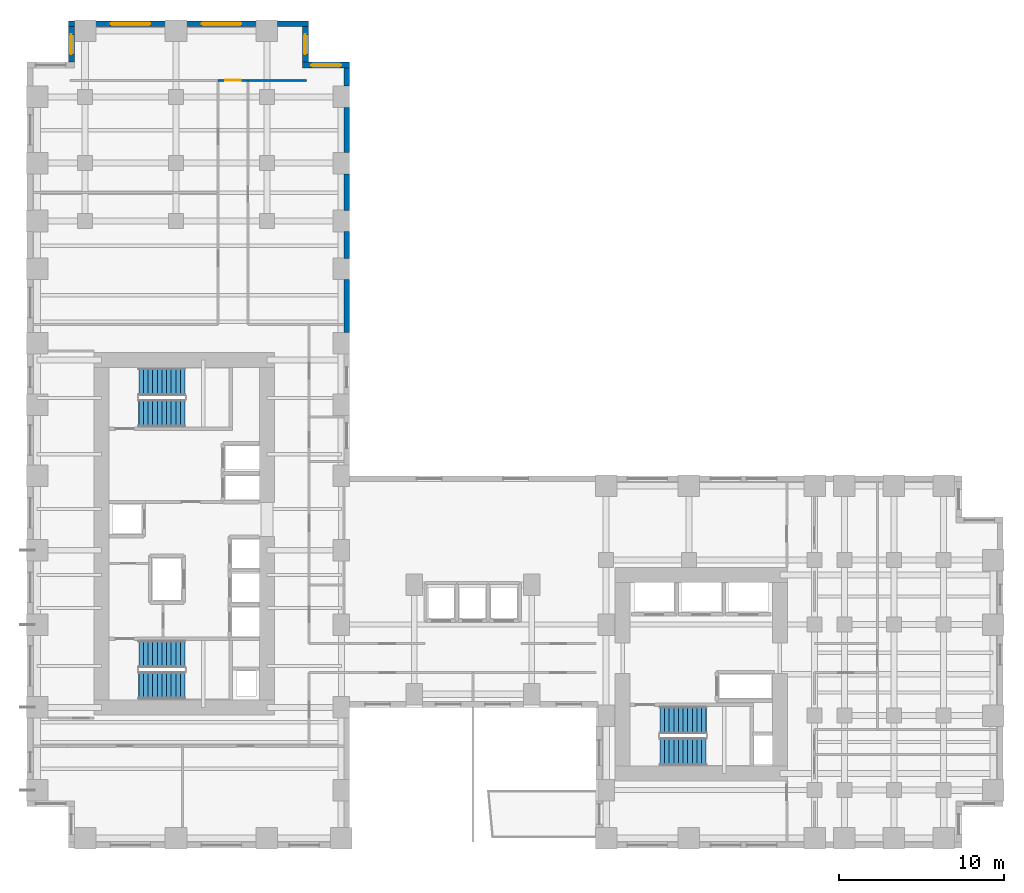
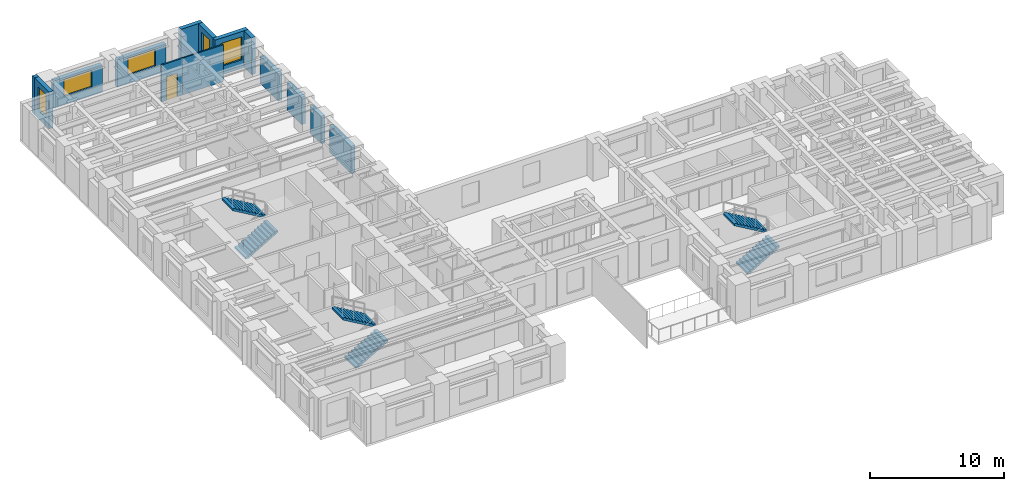
# One storey, part 9 of 12: 14 walls, 6 stair flights, 5 windows, 1 door, 6 openings, 3 elements without a shape of their own.
"""IFC4 building model written with IfcOpenShell, lengths in metres."""

from ifc_helpers import new_model, si_unit, direction, frame, frame_2d, origin, place, context, subcontext, project, spatial, polyline, rectangle, outline, extrude, source, transform, mapped, material, layer, layer_set, type_object, element, fill, aggregate, save


model = new_model("IFC4")

# Units and contexts
model_context = context("Model", 3, precision=1e-05, world=origin(), true_north=direction((0.0, 1.0)))
body_context = subcontext(model_context, "Body", "Model", "MODEL_VIEW")
ifc_project = project(units=[si_unit("LENGTHUNIT", "METRE"), si_unit("AREAUNIT", "SQUARE_METRE"), si_unit("VOLUMEUNIT", "CUBIC_METRE"), si_unit("PLANEANGLEUNIT", "RADIAN"), si_unit("MASSUNIT", "GRAM", prefix="KILO")], contexts=[model_context])

# Site, building, storey
site_placement = place(None, origin())
site = spatial("IfcSite", under=ifc_project, at=site_placement, CompositionType="ELEMENT")
building_placement = place(site_placement, origin())
building = spatial("IfcBuilding", under=site, at=building_placement, Name="Kharzan Plaza Tower", CompositionType="ELEMENT")
storey_placement = place(building_placement, frame((0.0, 0.0, 62.10009765625)))
storey = spatial("IfcBuildingStorey", under=building, at=storey_placement, Name="L16", CompositionType="ELEMENT", Elevation=62.10009765625)

# Wall, opening, window
ifc_material_1 = material(Name="Concrete C40/50", Category="concrete")
ifc_layer_1 = layer(ifc_material_1, 0.35009765625)
ifc_layer_set_1 = layer_set([ifc_layer_1], Name="Concrete C40/50")
wall_type_1 = type_object("IfcWallType", Name="WL-EXT-MAS-Z1", PredefinedType="SOLIDWALL", material=ifc_layer_set_1)
wall_1_placement = place(storey_placement, frame((19.5, 47.324951171875, 0.0), z_axis=(0.0, 0.0, 1.0), x_axis=(-1.0, 0.0, 0.0)))
wall_1 = element("IfcWall", 1, at=wall_1_placement, inside=storey, type_object=wall_type_1, Name="L16 Masonry-Frame Exterior Wall 01", PredefinedType="SOLIDWALL", context=body_context, shape_type="SweptSolid", body=[
    extrude(rectangle(XDim=2.85009765625, YDim=0.35009765625, at=frame_2d((1.425048828125, 0.0))), origin(), (0.0, 0.0, 1.0), 3.364990234375),
])
opening_1_placement = place(wall_1_placement, frame((0.52490234375, 0.0, 0.780029296875)))
opening_1 = element("IfcOpeningElement", 2, at=opening_1_placement, cuts=wall_1, Name="Opening W1", PredefinedType="OPENING", context=body_context, shape_type="SweptSolid", body=[
    extrude(rectangle(XDim=1.800048828125, YDim=2.10009765625, at=frame_2d((0.89990234375, 1.050048828125))), frame((0.0, 0.18505859375, 0.0), z_axis=(0.0, -1.0, 0.0), x_axis=(1.0, 0.0, 0.0)), (0.0, 0.0, 1.0), 0.3701171875),
])
ifc_material_2 = material(Name="Low-E Double Glazing", Category="glass")
window_type_1 = type_object("IfcWindowType", Name="WN-REC-1800x2100", PartitioningType="SINGLE_PANEL", PredefinedType="WINDOW", material=ifc_material_2)
shared_shape_1 = source(origin(), body_context, "Body", "SweptSolid", [
    extrude(rectangle(XDim=1.800048828125, YDim=2.10009765625, at=frame_2d((0.89990234375, 1.050048828125))), frame((0.0, 0.030029296875, 0.0), z_axis=(0.0, -1.0, 0.0), x_axis=(1.0, 0.0, 0.0)), (0.0, 0.0, 1.0), 0.06005859375),
])
window_1_placement = place(opening_1_placement, origin())
window_1 = element("IfcWindow", 3, at=window_1_placement, inside=storey, type_object=window_type_1, Name="L16 Recessed Solar-Control Window 01-1", OverallHeight=2.10009765625, OverallWidth=1.800048828125, PartitioningType="SINGLE_PANEL", PredefinedType="WINDOW", context=body_context, shape_type="MappedRepresentation", body=[
    mapped(shared_shape_1, transform((0.0, 0.0, 0.0), x_axis=(1.0, 0.0, 0.0), y_axis=(0.0, 1.0, 0.0), z_axis=(0.0, 0.0, 1.0))),
])
fill(opening_1, window_1)

wall_2_placement = place(storey_placement, frame((16.824951171875, 47.498046875, 0.0), z_axis=(0.0, 0.0, 1.0), x_axis=(0.0, 1.0, 0.0)))
wall_2 = element("IfcWall", 4, at=wall_2_placement, inside=storey, type_object=wall_type_1, Name="L16 Masonry-Frame Exterior Wall 02", PredefinedType="SOLIDWALL", context=body_context, shape_type="SweptSolid", body=[
    extrude(rectangle(XDim=2.154052734375, YDim=0.35009765625, at=frame_2d((1.0771484375, 0.0))), origin(), (0.0, 0.0, 1.0), 3.364990234375),
])
opening_2_placement = place(wall_2_placement, frame((0.47705078125, 0.0, 0.780029296875)))
opening_2 = element("IfcOpeningElement", 5, at=opening_2_placement, cuts=wall_2, Name="Opening W3", PredefinedType="OPENING", context=body_context, shape_type="SweptSolid", body=[
    extrude(rectangle(XDim=1.199951171875, YDim=2.10009765625, at=frame_2d((0.60009765625, 1.050048828125))), frame((0.0, 0.18505859375, 0.0), z_axis=(0.0, -1.0, 0.0), x_axis=(1.0, 0.0, 0.0)), (0.0, 0.0, 1.0), 0.3701171875),
])
window_type_2 = type_object("IfcWindowType", Name="WN-REC-1200x2100", PartitioningType="SINGLE_PANEL", PredefinedType="WINDOW", material=ifc_material_2)
shared_shape_2 = source(origin(), body_context, "Body", "SweptSolid", [
    extrude(rectangle(XDim=1.199951171875, YDim=2.10009765625, at=frame_2d((0.60009765625, 1.050048828125))), frame((0.0, 0.030029296875, 0.0), z_axis=(0.0, -1.0, 0.0), x_axis=(1.0, 0.0, 0.0)), (0.0, 0.0, 1.0), 0.06005859375),
])
window_2_placement = place(opening_2_placement, origin())
window_2 = element("IfcWindow", 6, at=window_2_placement, inside=storey, type_object=window_type_2, Name="L16 Recessed Solar-Control Window 02-1", OverallHeight=2.10009765625, OverallWidth=1.199951171875, PartitioningType="SINGLE_PANEL", PredefinedType="WINDOW", context=body_context, shape_type="MappedRepresentation", body=[
    mapped(shared_shape_2, transform((0.0, 0.0, 0.0), x_axis=(1.0, 0.0, 0.0), y_axis=(0.0, 1.0, 0.0), z_axis=(0.0, 0.0, 1.0))),
])
fill(opening_2, window_2)

wall_3_placement = place(storey_placement, frame((13.85205078125, 49.824951171875, 0.0), z_axis=(0.0, 0.0, 1.0), x_axis=(-1.0, 0.0, 0.0)))
wall_3 = element("IfcWall", 7, at=wall_3_placement, inside=storey, type_object=wall_type_1, Name="L16 Masonry-Frame Exterior Wall 04", PredefinedType="SOLIDWALL", context=body_context, shape_type="SweptSolid", body=[
    extrude(rectangle(XDim=4.2041015625, YDim=0.35009765625, at=frame_2d((2.10205078125, 0.0))), origin(), (0.0, 0.0, 1.0), 2.510009765625),
])
opening_3_placement = place(wall_3_placement, frame((0.902099609375, 0.0, 0.780029296875)))
opening_3 = element("IfcOpeningElement", 8, at=opening_3_placement, cuts=wall_3, Name="Opening W2", PredefinedType="OPENING", context=body_context, shape_type="SweptSolid", body=[
    extrude(rectangle(XDim=2.39990234375, YDim=1.550048828125, at=frame_2d((1.199951171875, 0.77490234375))), frame((0.0, 0.18505859375, 0.0), z_axis=(0.0, -1.0, 0.0), x_axis=(1.0, 0.0, 0.0)), (0.0, 0.0, 1.0), 0.3701171875),
])
window_type_3 = type_object("IfcWindowType", Name="WN-REC-2400x2100", PartitioningType="SINGLE_PANEL", PredefinedType="WINDOW", material=ifc_material_2)
shared_shape_3 = source(origin(), body_context, "Body", "SweptSolid", [
    extrude(rectangle(XDim=2.39990234375, YDim=1.550048828125, at=frame_2d((1.199951171875, 0.77490234375))), frame((0.0, 0.030029296875, 0.0), z_axis=(0.0, -1.0, 0.0), x_axis=(1.0, 0.0, 0.0)), (0.0, 0.0, 1.0), 0.06005859375),
])
window_3_placement = place(opening_3_placement, origin())
window_3 = element("IfcWindow", 9, at=window_3_placement, inside=storey, type_object=window_type_3, Name="L16 Wide Recessed Solar-Control Window 04-1", OverallHeight=1.550048828125, OverallWidth=2.39990234375, PartitioningType="SINGLE_PANEL", PredefinedType="WINDOW", context=body_context, shape_type="MappedRepresentation", body=[
    mapped(shared_shape_3, transform((0.0, 0.0, 0.0), x_axis=(1.0, 0.0, 0.0), y_axis=(0.0, 1.0, 0.0), z_axis=(0.0, 0.0, 1.0))),
])
fill(opening_3, window_3)

wall_4_placement = place(storey_placement, frame((8.35205078125, 49.824951171875, 0.0), z_axis=(0.0, 0.0, 1.0), x_axis=(-1.0, 0.0, 0.0)))
wall_4 = element("IfcWall", 10, at=wall_4_placement, inside=storey, type_object=wall_type_1, Name="L16 Masonry-Frame Exterior Wall 05", PredefinedType="SOLIDWALL", context=body_context, shape_type="SweptSolid", body=[
    extrude(rectangle(XDim=4.2041015625, YDim=0.35009765625, at=frame_2d((2.10205078125, 0.0))), origin(), (0.0, 0.0, 1.0), 2.510009765625),
])
opening_4_placement = place(wall_4_placement, frame((0.902099609375, 0.0, 0.780029296875)))
opening_4 = element("IfcOpeningElement", 11, at=opening_4_placement, cuts=wall_4, Name="Opening W2", PredefinedType="OPENING", context=body_context, shape_type="SweptSolid", body=[
    extrude(rectangle(XDim=2.39990234375, YDim=1.550048828125, at=frame_2d((1.199951171875, 0.77490234375))), frame((0.0, 0.18505859375, 0.0), z_axis=(0.0, -1.0, 0.0), x_axis=(1.0, 0.0, 0.0)), (0.0, 0.0, 1.0), 0.3701171875),
])
window_4_placement = place(opening_4_placement, origin())
window_4 = element("IfcWindow", 12, at=window_4_placement, inside=storey, type_object=window_type_3, Name="L16 Wide Recessed Solar-Control Window 05-1", OverallHeight=1.550048828125, OverallWidth=2.39990234375, PartitioningType="SINGLE_PANEL", PredefinedType="WINDOW", context=body_context, shape_type="MappedRepresentation", body=[
    mapped(shared_shape_3, transform((0.0, 0.0, 0.0), x_axis=(1.0, 0.0, 0.0), y_axis=(0.0, 1.0, 0.0), z_axis=(0.0, 0.0, 1.0))),
])
fill(opening_4, window_4)

wall_5_placement = place(storey_placement, frame((2.675048828125, 49.652099609375, 0.0), z_axis=(0.0, 0.0, 1.0), x_axis=(0.0, -1.0, 0.0)))
wall_5 = element("IfcWall", 13, at=wall_5_placement, inside=storey, type_object=wall_type_1, Name="L16 Masonry-Frame Exterior Wall 07", PredefinedType="SOLIDWALL", context=body_context, shape_type="SweptSolid", body=[
    extrude(rectangle(XDim=2.154052734375, YDim=0.35009765625, at=frame_2d((1.0771484375, 0.0))), origin(), (0.0, 0.0, 1.0), 3.364990234375),
])
opening_5_placement = place(wall_5_placement, frame((0.47705078125, 0.0, 0.780029296875)))
opening_5 = element("IfcOpeningElement", 14, at=opening_5_placement, cuts=wall_5, Name="Opening W3", PredefinedType="OPENING", context=body_context, shape_type="SweptSolid", body=[
    extrude(rectangle(XDim=1.199951171875, YDim=2.10009765625, at=frame_2d((0.60009765625, 1.050048828125))), frame((0.0, 0.18505859375, 0.0), z_axis=(0.0, -1.0, 0.0), x_axis=(1.0, 0.0, 0.0)), (0.0, 0.0, 1.0), 0.3701171875),
])
window_5_placement = place(opening_5_placement, origin())
window_5 = element("IfcWindow", 15, at=window_5_placement, inside=storey, type_object=window_type_2, Name="L16 Recessed Solar-Control Window 07-1", OverallHeight=2.10009765625, OverallWidth=1.199951171875, PartitioningType="SINGLE_PANEL", PredefinedType="WINDOW", context=body_context, shape_type="MappedRepresentation", body=[
    mapped(shared_shape_2, transform((0.0, 0.0, 0.0), x_axis=(1.0, 0.0, 0.0), y_axis=(0.0, 1.0, 0.0), z_axis=(0.0, 0.0, 1.0))),
])
fill(opening_5, window_5)

# Wall, opening, door
ifc_material_3 = material(Name="Fire-Rated Gypsum Board Partition", Category="gypsum")
ifc_layer_2 = layer(ifc_material_3, 0.125)
ifc_layer_set_2 = layer_set([ifc_layer_2], Name="Fire-Rated Gypsum Board Partition")
wall_type_2 = type_object("IfcWallType", Name="WL-INT-PART-125", PredefinedType="PARTITIONING", material=ifc_layer_set_2)
wall_6_placement = place(storey_placement, frame((11.550048828125, 46.39990234375, 0.0), z_axis=(0.0, 0.0, 1.0), x_axis=(1.0, 0.0, 0.0)))
wall_6 = element("IfcWall", 16, at=wall_6_placement, inside=storey, type_object=wall_type_2, Name="L16 Interior Partition SH-SPHD", PredefinedType="PARTITIONING", context=body_context, shape_type="SweptSolid", body=[
    extrude(rectangle(XDim=1.800048828125, YDim=0.125, at=frame_2d((0.89990234375, 0.0))), origin(), (0.0, 0.0, 1.0), 3.364990234375),
])
opening_6_placement = place(wall_6_placement, frame((0.425048828125, 0.0, 0.0)))
opening_6 = element("IfcOpeningElement", 17, at=opening_6_placement, cuts=wall_6, Name="Opening OD1", PredefinedType="OPENING", context=body_context, shape_type="SweptSolid", body=[
    extrude(rectangle(XDim=0.949951171875, YDim=2.14990234375, at=frame_2d((0.47509765625, 1.074951171875))), frame((0.0, 0.072509765625, 0.0), z_axis=(0.0, -1.0, 0.0), x_axis=(1.0, 0.0, 0.0)), (0.0, 0.0, 1.0), 0.14501953125),
])
ifc_material_4 = material(Name="Acoustic Solid-Core Stained Oak", Category="timber")
door_type = type_object("IfcDoorType", Name="DR-OFF-SINGLE", OperationType="NOTDEFINED", PredefinedType="DOOR", material=ifc_material_4)
shared_shape_4 = source(origin(), body_context, "Body", "SweptSolid", [
    extrude(rectangle(XDim=0.949951171875, YDim=2.14990234375, at=frame_2d((0.47509765625, 1.074951171875))), frame((0.0, 0.02490234375, 0.0), z_axis=(0.0, -1.0, 0.0), x_axis=(1.0, 0.0, 0.0)), (0.0, 0.0, 1.0), 0.050048828125),
])
door_placement = place(opening_6_placement, origin())
door = element("IfcDoor", 18, at=door_placement, inside=storey, type_object=door_type, Name="L16 North Boardroom Door", OperationType="SINGLE_SWING_RIGHT", OverallHeight=2.14990234375, OverallWidth=0.949951171875, PredefinedType="DOOR", context=body_context, shape_type="MappedRepresentation", body=[
    mapped(shared_shape_4, transform((0.0, 0.0, 0.0), x_axis=(1.0, 0.0, 0.0), y_axis=(0.0, 1.0, 0.0), z_axis=(0.0, 0.0, 1.0))),
])
fill(opening_6, door)

# Walls
shared_shape_5 = source(origin(), body_context, "Body", "SweptSolid", [
    extrude(rectangle(XDim=1.85205078125, YDim=0.35009765625, at=frame_2d((0.926025390625, 0.0))), origin(), (0.0, 0.0, 1.0), 3.364990234375),
])
wall_7_placement = place(storey_placement, frame((17.0, 49.824951171875, 0.0), z_axis=(0.0, 0.0, 1.0), x_axis=(-1.0, 0.0, 0.0)))
element("IfcWall", 19, at=wall_7_placement, inside=storey, type_object=wall_type_1, Name="L16 Masonry-Frame Exterior Wall 03", PredefinedType="SOLIDWALL", context=body_context, shape_type="MappedRepresentation", body=[
    mapped(shared_shape_5, transform((0.0, 0.0, 0.0), x_axis=(1.0, 0.0, 0.0), y_axis=(0.0, 1.0, 0.0), z_axis=(0.0, 0.0, 1.0))),
])
shared_shape_6 = source(origin(), body_context, "Body", "SweptSolid", [
    extrude(rectangle(XDim=0.35205078125, YDim=0.35009765625, at=frame_2d((0.176025390625, 0.0))), origin(), (0.0, 0.0, 1.0), 3.364990234375),
])
wall_8_placement = place(storey_placement, frame((2.85205078125, 49.824951171875, 0.0), z_axis=(0.0, 0.0, 1.0), x_axis=(-1.0, 0.0, 0.0)))
element("IfcWall", 20, at=wall_8_placement, inside=storey, type_object=wall_type_1, Name="L16 Masonry-Frame Exterior Wall 06", PredefinedType="SOLIDWALL", context=body_context, shape_type="MappedRepresentation", body=[
    mapped(shared_shape_6, transform((0.0, 0.0, 0.0), x_axis=(1.0, 0.0, 0.0), y_axis=(0.0, 1.0, 0.0), z_axis=(0.0, 0.0, 1.0))),
])
shared_shape_7 = source(origin(), body_context, "Body", "SweptSolid", [
    extrude(rectangle(XDim=1.10400390625, YDim=0.35009765625, at=frame_2d((0.552001953125, 0.0))), origin(), (0.0, 0.0, 1.0), 3.364990234375),
])
wall_9_placement = place(storey_placement, frame((19.324951171875, 46.048095703125, 0.0), z_axis=(0.0, 0.0, 1.0), x_axis=(0.0, 1.0, 0.0)))
element("IfcWall", 21, at=wall_9_placement, inside=storey, type_object=wall_type_1, Name="L16 Masonry-Frame Exterior Wall 60", PredefinedType="SOLIDWALL", context=body_context, shape_type="MappedRepresentation", body=[
    mapped(shared_shape_7, transform((0.0, 0.0, 0.0), x_axis=(1.0, 0.0, 0.0), y_axis=(0.0, 1.0, 0.0), z_axis=(0.0, 0.0, 1.0))),
])
shared_shape_8 = source(origin(), body_context, "Body", "SweptSolid", [
    extrude(rectangle(XDim=1.60400390625, YDim=0.35009765625, at=frame_2d((0.802001953125, 0.0))), origin(), (0.0, 0.0, 1.0), 2.510009765625),
])
wall_10_placement = place(storey_placement, frame((19.324951171875, 35.64794921875, 0.0), z_axis=(0.0, 0.0, 1.0), x_axis=(0.0, 1.0, 0.0)))
element("IfcWall", 22, at=wall_10_placement, inside=storey, type_object=wall_type_1, Name="L16 Masonry-Frame Exterior Wall 57", PredefinedType="SOLIDWALL", context=body_context, shape_type="MappedRepresentation", body=[
    mapped(shared_shape_8, transform((0.0, 0.0, 0.0), x_axis=(1.0, 0.0, 0.0), y_axis=(0.0, 1.0, 0.0), z_axis=(0.0, 0.0, 1.0))),
])
shared_shape_9 = source(origin(), body_context, "Body", "SweptSolid", [
    extrude(rectangle(XDim=3.2041015625, YDim=0.35009765625, at=frame_2d((1.60205078125, 0.0))), origin(), (0.0, 0.0, 1.0), 2.510009765625),
])
wall_11_placement = place(storey_placement, frame((19.324951171875, 31.14794921875, 0.0), z_axis=(0.0, 0.0, 1.0), x_axis=(0.0, 1.0, 0.0)))
element("IfcWall", 23, at=wall_11_placement, inside=storey, type_object=wall_type_1, Name="L16 Masonry-Frame Exterior Wall 56", PredefinedType="SOLIDWALL", context=body_context, shape_type="MappedRepresentation", body=[
    mapped(shared_shape_9, transform((0.0, 0.0, 0.0), x_axis=(1.0, 0.0, 0.0), y_axis=(0.0, 1.0, 0.0), z_axis=(0.0, 0.0, 1.0))),
])
shared_shape_10 = source(origin(), body_context, "Body", "SweptSolid", [
    extrude(rectangle(XDim=2.203857421875, YDim=0.35009765625, at=frame_2d((1.10205078125, 0.0))), origin(), (0.0, 0.0, 1.0), 2.510009765625),
])
wall_12_placement = place(storey_placement, frame((19.324951171875, 38.548095703125, 0.0), z_axis=(0.0, 0.0, 1.0), x_axis=(0.0, 1.0, 0.0)))
element("IfcWall", 24, at=wall_12_placement, inside=storey, type_object=wall_type_1, Name="L16 Masonry-Frame Exterior Wall 58", PredefinedType="SOLIDWALL", context=body_context, shape_type="MappedRepresentation", body=[
    mapped(shared_shape_10, transform((0.0, 0.0, 0.0), x_axis=(1.0, 0.0, 0.0), y_axis=(0.0, 1.0, 0.0), z_axis=(0.0, 0.0, 1.0))),
])
shared_shape_11 = source(origin(), body_context, "Body", "SweptSolid", [
    extrude(rectangle(XDim=2.703857421875, YDim=0.35009765625, at=frame_2d((1.35205078125, 0.0))), origin(), (0.0, 0.0, 1.0), 2.510009765625),
])
wall_13_placement = place(storey_placement, frame((19.324951171875, 42.048095703125, 0.0), z_axis=(0.0, 0.0, 1.0), x_axis=(0.0, 1.0, 0.0)))
element("IfcWall", 25, at=wall_13_placement, inside=storey, type_object=wall_type_1, Name="L16 Masonry-Frame Exterior Wall 59", PredefinedType="SOLIDWALL", context=body_context, shape_type="MappedRepresentation", body=[
    mapped(shared_shape_11, transform((0.0, 0.0, 0.0), x_axis=(1.0, 0.0, 0.0), y_axis=(0.0, 1.0, 0.0), z_axis=(0.0, 0.0, 1.0))),
])
shared_shape_12 = source(origin(), body_context, "Body", "SweptSolid", [
    extrude(rectangle(XDim=3.5498046875, YDim=0.125, at=frame_2d((1.77490234375, 0.0))), origin(), (0.0, 0.0, 1.0), 3.364990234375),
])
wall_14_placement = place(storey_placement, frame((13.35009765625, 46.39990234375, 0.0), z_axis=(0.0, 0.0, 1.0), x_axis=(1.0, 0.0, 0.0)))
element("IfcWall", 26, at=wall_14_placement, inside=storey, type_object=wall_type_2, Name="L16 Interior Partition SH-SPHE", PredefinedType="PARTITIONING", context=body_context, shape_type="MappedRepresentation", body=[
    mapped(shared_shape_12, transform((0.0, 0.0, 0.0), x_axis=(1.0, 0.0, 0.0), y_axis=(0.0, 1.0, 0.0), z_axis=(0.0, 0.0, 1.0))),
])

# Stair, stair flights
stair_type_1 = type_object("IfcStairType", Name="STR-ST-1", PredefinedType="HALF_TURN_STAIR", material=ifc_material_1)
stair_1_placement = place(storey_placement, origin())
stair_1 = element("IfcStair", 27, at=stair_1_placement, inside=storey, type_object=stair_type_1, Name="L16 Protected Exit Stair ST-1", PredefinedType="HALF_TURN_STAIR")
stair_flight_type = type_object("IfcStairFlightType", Name="SFL-1650-R173", PredefinedType="STRAIGHT", material=ifc_material_1)
shared_shape_13 = source(origin(), body_context, "Body", "SweptSolid", [
    extrude(outline(polyline([(-0.0029296875, -0.011962890625), (-0.0029296875, 0.0), (0.0, 0.0), (0.0, 0.16357421875), (0.280029296875, 0.16357421875), (0.280029296875, 0.3271484375), (0.56005859375, 0.3271484375), (0.56005859375, 0.49072265625), (0.840087890625, 0.49072265625), (0.840087890625, 0.654296875), (1.1201171875, 0.654296875), (1.1201171875, 0.81787109375), (1.400146484375, 0.81787109375), (1.400146484375, 0.9814453125), (1.68017578125, 0.9814453125), (1.68017578125, 1.14501953125), (1.960205078125, 1.14501953125), (1.960205078125, 1.30859375), (2.240234375, 1.30859375), (2.240234375, 1.47216796875), (2.520263671875, 1.47216796875), (2.520263671875, 1.6357421875), (2.80029296875, 1.6357421875), (2.80029296875, 1.79931640625), (2.80029296875, 1.462158203125), (0.297119140625, 0.0), (0.297119140625, -0.011962890625), (-0.0029296875, -0.011962890625)])), frame((0.0, 0.824951171875, 0.0), z_axis=(0.0, -1.0, 0.0), x_axis=(1.0, 0.0, 0.0)), (0.0, 0.0, 1.0), 1.64990234375),
])
stair_flight_1_placement = place(storey_placement, frame((6.75, 9.824951171875, 0.0), z_axis=(0.0, 0.0, 1.0), x_axis=(1.0, 0.0, 0.0)))
stair_flight_1 = element("IfcStairFlight", 28, at=stair_flight_1_placement, type_object=stair_flight_type, Name="ST-1 flight 1", NumberOfRisers=11, NumberOfTreads=10, PredefinedType="STRAIGHT", RiserHeight=0.163636364, TreadLength=0.28, context=body_context, shape_type="MappedRepresentation", body=[
    mapped(shared_shape_13, transform((0.0, 0.0, 0.0), x_axis=(1.0, 0.0, 0.0), y_axis=(0.0, 1.0, 0.0), z_axis=(0.0, 0.0, 1.0))),
])
stair_flight_2_placement = place(storey_placement, frame((9.550048828125, 11.72509765625, 1.7998046875), z_axis=(0.0, 0.0, 1.0), x_axis=(-1.0, 0.0, 0.0)))
stair_flight_2 = element("IfcStairFlight", 29, at=stair_flight_2_placement, type_object=stair_flight_type, Name="ST-1 flight 2", NumberOfRisers=11, NumberOfTreads=10, PredefinedType="STRAIGHT", RiserHeight=0.163636364, TreadLength=0.28, context=body_context, shape_type="MappedRepresentation", body=[
    mapped(shared_shape_13, transform((0.0, 0.0, 0.0), x_axis=(1.0, 0.0, 0.0), y_axis=(0.0, 1.0, 0.0), z_axis=(0.0, 0.0, 1.0))),
])
aggregate(stair_1, [stair_flight_1, stair_flight_2])

stair_type_2 = type_object("IfcStairType", Name="STR-ST-2", PredefinedType="HALF_TURN_STAIR", material=ifc_material_1)
stair_2_placement = place(storey_placement, origin())
stair_2 = element("IfcStair", 30, at=stair_2_placement, inside=storey, type_object=stair_type_2, Name="L16 Protected Exit Stair ST-2", PredefinedType="HALF_TURN_STAIR")
stair_flight_3_placement = place(storey_placement, frame((6.75, 26.27490234375, 0.0), z_axis=(0.0, 0.0, 1.0), x_axis=(1.0, 0.0, 0.0)))
stair_flight_3 = element("IfcStairFlight", 31, at=stair_flight_3_placement, type_object=stair_flight_type, Name="ST-2 flight 1", NumberOfRisers=11, NumberOfTreads=10, PredefinedType="STRAIGHT", RiserHeight=0.163636364, TreadLength=0.28, context=body_context, shape_type="MappedRepresentation", body=[
    mapped(shared_shape_13, transform((0.0, 0.0, 0.0), x_axis=(1.0, 0.0, 0.0), y_axis=(0.0, 1.0, 0.0), z_axis=(0.0, 0.0, 1.0))),
])
stair_flight_4_placement = place(storey_placement, frame((9.550048828125, 28.175048828125, 1.7998046875), z_axis=(0.0, 0.0, 1.0), x_axis=(-1.0, 0.0, 0.0)))
stair_flight_4 = element("IfcStairFlight", 32, at=stair_flight_4_placement, type_object=stair_flight_type, Name="ST-2 flight 2", NumberOfRisers=11, NumberOfTreads=10, PredefinedType="STRAIGHT", RiserHeight=0.163636364, TreadLength=0.28, context=body_context, shape_type="MappedRepresentation", body=[
    mapped(shared_shape_13, transform((0.0, 0.0, 0.0), x_axis=(1.0, 0.0, 0.0), y_axis=(0.0, 1.0, 0.0), z_axis=(0.0, 0.0, 1.0))),
])
aggregate(stair_2, [stair_flight_3, stair_flight_4])

stair_type_3 = type_object("IfcStairType", Name="STR-ST-3", PredefinedType="HALF_TURN_STAIR", material=ifc_material_1)
stair_3_placement = place(storey_placement, origin())
stair_3 = element("IfcStair", 33, at=stair_3_placement, inside=storey, type_object=stair_type_3, Name="L16 Protected Exit Stair ST-3", PredefinedType="HALF_TURN_STAIR")
stair_flight_5_placement = place(storey_placement, frame((38.25, 5.824951171875, 0.0), z_axis=(0.0, 0.0, 1.0), x_axis=(1.0, 0.0, 0.0)))
stair_flight_5 = element("IfcStairFlight", 34, at=stair_flight_5_placement, type_object=stair_flight_type, Name="ST-3 flight 1", NumberOfRisers=11, NumberOfTreads=10, PredefinedType="STRAIGHT", RiserHeight=0.163636364, TreadLength=0.28, context=body_context, shape_type="MappedRepresentation", body=[
    mapped(shared_shape_13, transform((0.0, 0.0, 0.0), x_axis=(1.0, 0.0, 0.0), y_axis=(0.0, 1.0, 0.0), z_axis=(0.0, 0.0, 1.0))),
])
stair_flight_6_placement = place(storey_placement, frame((41.050048828125, 7.72509765625, 1.7998046875), z_axis=(0.0, 0.0, 1.0), x_axis=(-1.0, 0.0, 0.0)))
stair_flight_6 = element("IfcStairFlight", 35, at=stair_flight_6_placement, type_object=stair_flight_type, Name="ST-3 flight 2", NumberOfRisers=11, NumberOfTreads=10, PredefinedType="STRAIGHT", RiserHeight=0.163636364, TreadLength=0.28, context=body_context, shape_type="MappedRepresentation", body=[
    mapped(shared_shape_13, transform((0.0, 0.0, 0.0), x_axis=(1.0, 0.0, 0.0), y_axis=(0.0, 1.0, 0.0), z_axis=(0.0, 0.0, 1.0))),
])
aggregate(stair_3, [stair_flight_5, stair_flight_6])

save(model, "model.ifc")
